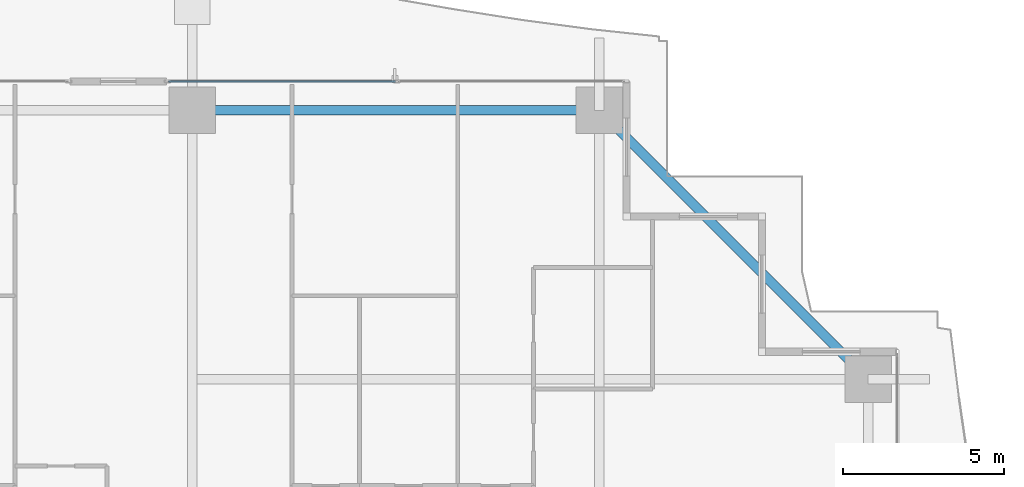
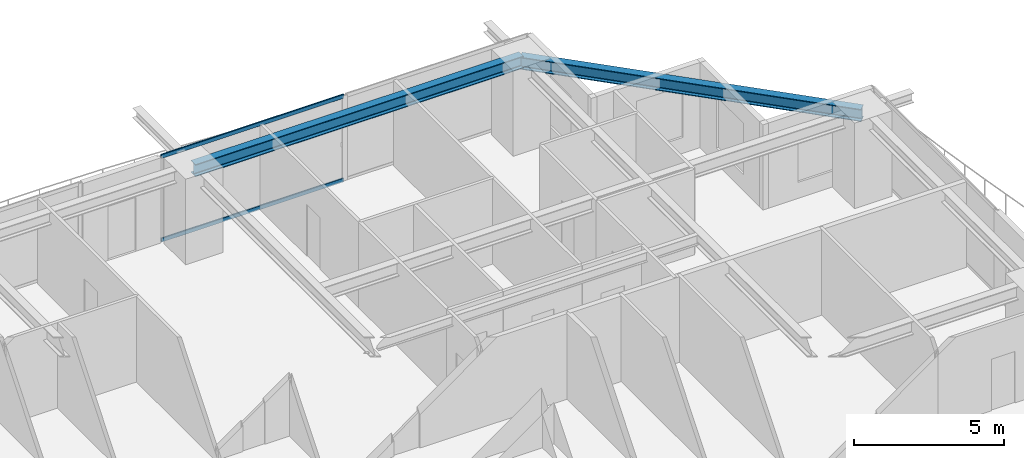
# One storey, part 23 of 38: 2 beams, 2 members, 1 element without a shape of its own.
"""IFC4 building model written with IfcOpenShell, lengths in metres."""

from ifc_helpers import new_model, si_unit, direction, frame, origin, origin_2d, place, context, subcontext, project, spatial, hollow_rectangle, i_section, extrude, source, transform, mapped, material, layer, layer_set, material_profile, profile_set, type_object, element, aggregate, save


model = new_model("IFC4")

# Units and contexts
model_context = context("Model", 3, precision=1e-05, world=origin(), true_north=direction((0.0, 1.0)))
body_context = subcontext(model_context, "Body", "Model", "MODEL_VIEW")
ifc_project = project(units=[si_unit("LENGTHUNIT", "METRE"), si_unit("AREAUNIT", "SQUARE_METRE"), si_unit("VOLUMEUNIT", "CUBIC_METRE"), si_unit("PLANEANGLEUNIT", "RADIAN"), si_unit("MASSUNIT", "GRAM", prefix="KILO")], contexts=[model_context])

# Site, building, storey
site_placement = place(None, origin())
site = spatial("IfcSite", under=ifc_project, at=site_placement, CompositionType="ELEMENT")
building_placement = place(site_placement, origin())
building = spatial("IfcBuilding", under=site, at=building_placement, Name="Serunith Strait Residences", CompositionType="ELEMENT")
storey_placement = place(building_placement, frame((0.0, 0.0, 52.949951171875)))
storey = spatial("IfcBuildingStorey", under=building, at=storey_placement, Name="L12", CompositionType="ELEMENT", Elevation=52.949951171875)

# Beams
ifc_material_1 = material(Name="Steel S355J2", Category="steel")
ifc_material_profile_1 = material_profile(ifc_material_1, i_section(OverallWidth=0.300048828125, OverallDepth=0.5, WebThickness=0.014404296875, FlangeThickness=0.028076171875, FilletRadius=0.027099609375, at=origin_2d()), Name="HEB 500")
ifc_profile_set_1 = profile_set([ifc_material_profile_1], Name="Steel S355J2")
beam_type = type_object("IfcBeamType", Name="BM-HEB500", PredefinedType="BEAM", material=ifc_profile_set_1)
shared_shape_1 = source(origin(), body_context, "Body", "SweptSolid", [
    extrude(i_section(OverallWidth=0.300048828125, OverallDepth=0.5, WebThickness=0.014404296875, FlangeThickness=0.028076171875, FilletRadius=0.027099609375, at=origin_2d()), origin(), (0.0, 0.0, 1.0), 12.650146484375),
])
beam_1_placement = place(storey_placement, frame((49.550048828125, 49.300048828125, 3.237060546875), z_axis=(-1.0, 0.0, 0.0), x_axis=(0.0, -1.0, 0.0)))
element("IfcBeam", 1, at=beam_1_placement, inside=storey, type_object=beam_type, Name="L12 Perimeter Ring Beam 09", PredefinedType="BEAM", context=body_context, shape_type="MappedRepresentation", body=[
    mapped(shared_shape_1, transform((0.0, 0.0, 0.0), scale=1.0)),
])
shared_shape_2 = source(origin(), body_context, "Body", "SweptSolid", [
    extrude(i_section(OverallWidth=0.300048828125, OverallDepth=0.5, WebThickness=0.014404296875, FlangeThickness=0.028076171875, FilletRadius=0.027099609375, at=origin_2d()), origin(), (0.0, 0.0, 1.0), 11.80859375),
])
beam_2_placement = place(storey_placement, frame((57.89990234375, 40.949951171875, 3.20703125), z_axis=(-0.707096443746, 0.707117118476, 0.0), x_axis=(-0.707117118476, -0.707096443746, 0.0)))
element("IfcBeam", 2, at=beam_2_placement, inside=storey, type_object=beam_type, Name="L12 Perimeter Ring Beam 08", PredefinedType="BEAM", context=body_context, shape_type="MappedRepresentation", body=[
    mapped(shared_shape_2, transform((0.0, 0.0, 0.0), scale=1.0)),
])

# Curtain wall, members
ifc_material_2 = material(Name="Pale-Champagne Anodised Aluminium", Category="aluminium")
ifc_layer = layer(ifc_material_2, 0.199951171875, Name="Pale-Champagne Anodised Aluminium")
ifc_layer_set = layer_set([ifc_layer], Name="Pale-Champagne Anodised Aluminium")
curtain_wall_type = type_object("IfcCurtainWallType", Name="CW-SYS1", PredefinedType="NOTDEFINED", material=ifc_layer_set)
curtain_wall_placement = place(storey_placement, origin())
curtain_wall = element("IfcCurtainWall", 3, at=curtain_wall_placement, inside=storey, type_object=curtain_wall_type, Name="L12 N Unitised Fritted Curtain Wall", PredefinedType="NOTDEFINED")
ifc_material_profile_2 = material_profile(ifc_material_2, hollow_rectangle(XDim=0.06005859375, YDim=0.159912109375, WallThickness=0.00341796875, InnerFilletRadius=0.00537109375, OuterFilletRadius=0.0087890625, at=origin_2d()), Name="ALU 160x60x3.5")
ifc_profile_set_2 = profile_set([ifc_material_profile_2], Name="Pale-Champagne Anodised Aluminium")
member_type = type_object("IfcMemberType", Name="CW-SYS1-TRAN", PredefinedType="USERDEFINED", material=ifc_profile_set_2)
shared_shape_3 = source(origin(), body_context, "Body", "SweptSolid", [
    extrude(hollow_rectangle(XDim=0.06005859375, YDim=0.159912109375, WallThickness=0.00341796875, InnerFilletRadius=0.00537109375, OuterFilletRadius=0.0087890625, at=origin_2d()), origin(), (0.0, 0.0, 1.0), 7.045166015625),
])
member_1_placement = place(storey_placement, frame((43.215087890625, 50.199951171875, 0.030029296875), z_axis=(-1.0, 0.0, 0.0), x_axis=(0.0, -1.0, 0.0)))
member_1 = element("IfcMember", 4, at=member_1_placement, type_object=member_type, Name="CW-1 transom 2.1", ObjectType="TRANSOM", PredefinedType="USERDEFINED", context=body_context, shape_type="MappedRepresentation", body=[
    mapped(shared_shape_3, transform((0.0, 0.0, 0.0), scale=1.0)),
])
member_2_placement = place(storey_placement, frame((43.215087890625, 50.199951171875, 3.445068359375), z_axis=(-1.0, 0.0, 0.0), x_axis=(0.0, -1.0, 0.0)))
member_2 = element("IfcMember", 5, at=member_2_placement, type_object=member_type, Name="CW-1 transom 2.2", ObjectType="TRANSOM", PredefinedType="USERDEFINED", context=body_context, shape_type="MappedRepresentation", body=[
    mapped(shared_shape_3, transform((0.0, 0.0, 0.0), scale=1.0)),
])
aggregate(curtain_wall, [member_1, member_2])

save(model, "model.ifc")
